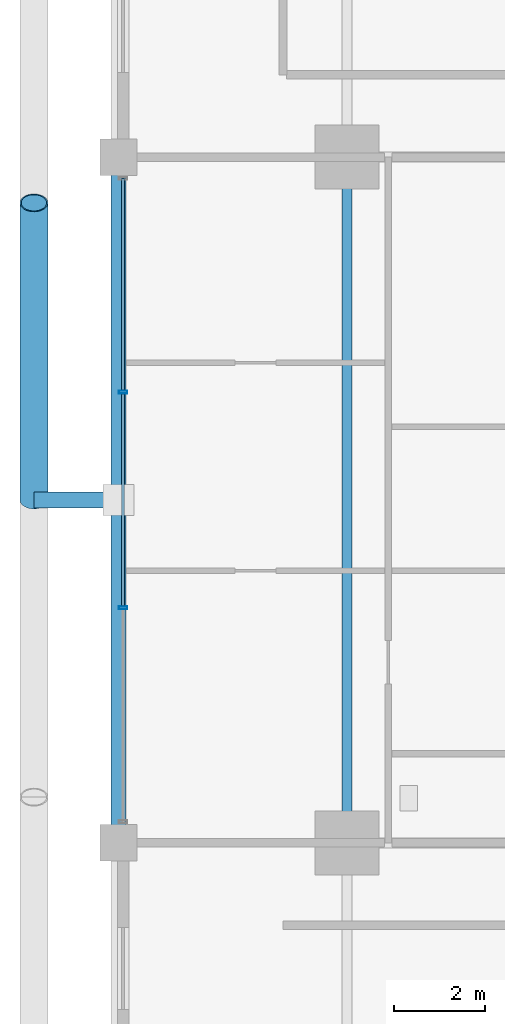
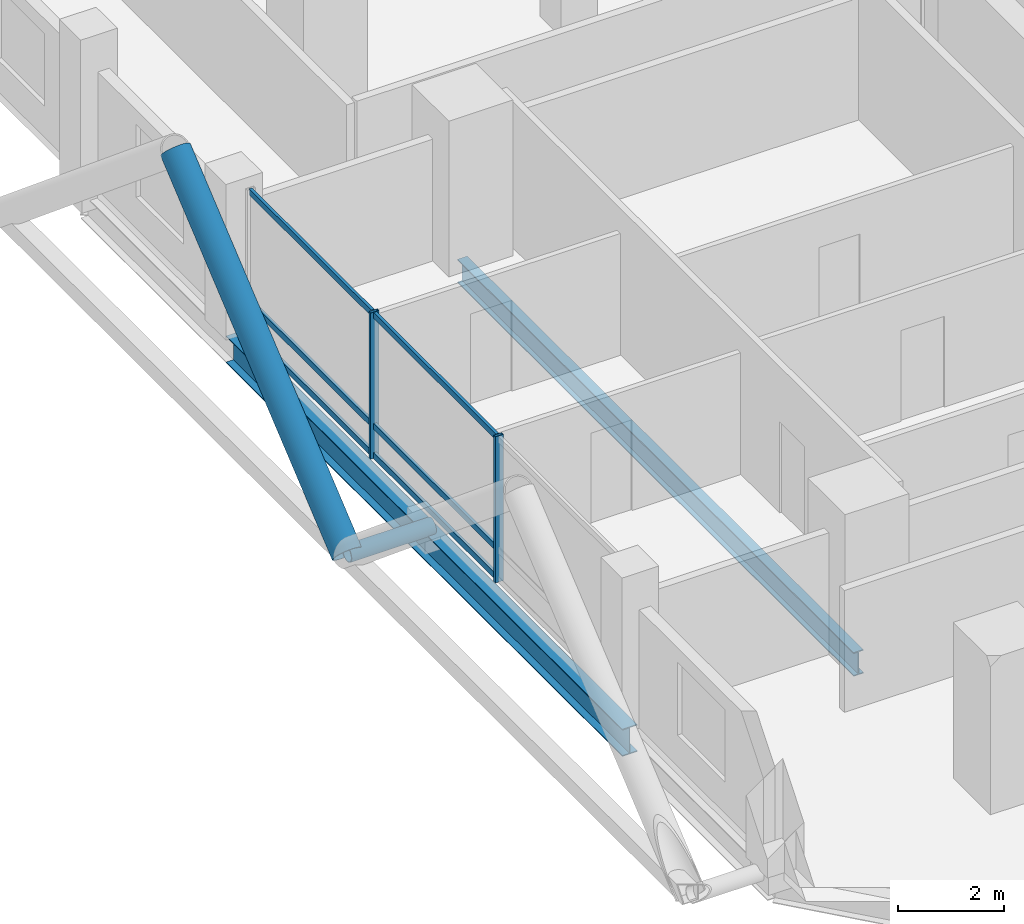
# One storey, part 8 of 27: 10 members, 2 beams, 1 element without a shape of its own.
"""IFC4 building model written with IfcOpenShell, lengths in metres."""

from ifc_helpers import new_model, si_unit, direction, frame, origin, origin_2d, place, context, subcontext, project, spatial, hollow_rectangle, hollow_circle, i_section, extrude, material, layer, layer_set, material_profile, profile_set, type_object, element, aggregate, save


model = new_model("IFC4")

# Units and contexts
model_context = context("Model", 3, precision=1e-05, world=origin(), true_north=direction((0.0, 1.0)))
body_context = subcontext(model_context, "Body", "Model", "MODEL_VIEW")
ifc_project = project(units=[si_unit("LENGTHUNIT", "METRE"), si_unit("AREAUNIT", "SQUARE_METRE"), si_unit("VOLUMEUNIT", "CUBIC_METRE"), si_unit("PLANEANGLEUNIT", "RADIAN"), si_unit("MASSUNIT", "GRAM", prefix="KILO")], contexts=[model_context])

# Site, building, storey
site_placement = place(None, origin())
site = spatial("IfcSite", under=ifc_project, at=site_placement, CompositionType="ELEMENT")
building_placement = place(site_placement, origin())
building = spatial("IfcBuilding", under=site, at=building_placement, Name="Barlavira Tower and Art Museum", CompositionType="ELEMENT")
storey_placement = place(building_placement, frame((0.0, 0.0, 61.199951171875)))
storey = spatial("IfcBuildingStorey", under=building, at=storey_placement, Name="L14", CompositionType="ELEMENT", Elevation=61.199951171875)

# Curtain wall, members
ifc_material_1 = material(Name="Low-iron coastal laminated glass", Category="glass")
ifc_layer = layer(ifc_material_1, 0.179931640625, Name="Low-iron coastal laminated glass")
ifc_layer_set = layer_set([ifc_layer], Name="Low-iron coastal laminated glass")
curtain_wall_type = type_object("IfcCurtainWallType", Name="Pale-Metal Unitised Curtain Wall Zone 1", PredefinedType="NOTDEFINED", material=ifc_layer_set)
curtain_wall_placement = place(storey_placement, origin())
curtain_wall = element("IfcCurtainWall", 1, at=curtain_wall_placement, inside=storey, type_object=curtain_wall_type, Name="L14 Curtain Wall CW1-L14-W-B3", PredefinedType="NOTDEFINED")
ifc_material_2 = material(Name="Pale anodised aluminium", Category="aluminium")
ifc_material_profile_1 = material_profile(ifc_material_2, hollow_rectangle(XDim=0.06494140625, YDim=0.179931640625, WallThickness=0.00390625, at=origin_2d()), Name="ALU-MULL 65x180x4")
ifc_profile_set_1 = profile_set([ifc_material_profile_1], Name="Pale anodised aluminium")
member_type_1 = type_object("IfcMemberType", Name="Curtain Wall Pale-Metal Mullion 65x180", PredefinedType="MULLION", material=ifc_profile_set_1)
member_1_placement = place(storey_placement, frame((-21.89990234375, 2.360107421875, 0.0), z_axis=(0.0, 0.0, 1.0), x_axis=(0.0, -1.0, 0.0)))
member_1 = element("IfcMember", 2, at=member_1_placement, type_object=member_type_1, Name="CW1-L14-W-B3 Mullion 1", PredefinedType="MULLION", context=body_context, shape_type="SweptSolid", body=[
    extrude(hollow_rectangle(XDim=0.06494140625, YDim=0.179931640625, WallThickness=0.00390625, at=origin_2d()), origin(), (0.0, 0.0, 1.0), 3.380126953125),
])
member_2_placement = place(storey_placement, frame((-21.89990234375, -2.360107421875, 0.0), z_axis=(0.0, 0.0, 1.0), x_axis=(0.0, -1.0, 0.0)))
member_2 = element("IfcMember", 3, at=member_2_placement, type_object=member_type_1, Name="CW1-L14-W-B3 Mullion 2", PredefinedType="MULLION", context=body_context, shape_type="SweptSolid", body=[
    extrude(hollow_rectangle(XDim=0.06494140625, YDim=0.179931640625, WallThickness=0.00390625, at=origin_2d()), origin(), (0.0, 0.0, 1.0), 3.380126953125),
])
ifc_material_profile_2 = material_profile(ifc_material_2, hollow_rectangle(XDim=0.06494140625, YDim=0.139892578125, WallThickness=0.00390625, at=origin_2d()), Name="ALU-TRAN 65x140x4")
ifc_profile_set_2 = profile_set([ifc_material_profile_2], Name="Pale anodised aluminium")
member_type_2 = type_object("IfcMemberType", Name="Curtain Wall Pale-Metal Transom 65x140", PredefinedType="USERDEFINED", material=ifc_profile_set_2)
member_3_placement = place(storey_placement, frame((-21.89990234375, 7.034912109375, 0.070068359375), z_axis=(0.0, -1.0, 0.0), x_axis=(1.0, 0.0, 0.0)))
member_3 = element("IfcMember", 4, at=member_3_placement, type_object=member_type_2, Name="CW1-L14-W-B3 Transom 0.1", ObjectType="TRANSOM", PredefinedType="USERDEFINED", context=body_context, shape_type="SweptSolid", body=[
    extrude(hollow_rectangle(XDim=0.06494140625, YDim=0.139892578125, WallThickness=0.00390625, at=origin_2d()), origin(), (0.0, 0.0, 1.0), 4.6298828125),
])
member_4_placement = place(storey_placement, frame((-21.89990234375, 7.034912109375, 0.744140625), z_axis=(0.0, -1.0, 0.0), x_axis=(1.0, 0.0, 0.0)))
member_4 = element("IfcMember", 5, at=member_4_placement, type_object=member_type_2, Name="CW1-L14-W-B3 Transom 0.2", ObjectType="TRANSOM", PredefinedType="USERDEFINED", context=body_context, shape_type="SweptSolid", body=[
    extrude(hollow_rectangle(XDim=0.06494140625, YDim=0.139892578125, WallThickness=0.00390625, at=origin_2d()), origin(), (0.0, 0.0, 1.0), 4.6298828125),
])
member_5_placement = place(storey_placement, frame((-21.89990234375, 7.034912109375, 3.31005859375), z_axis=(0.0, -1.0, 0.0), x_axis=(1.0, 0.0, 0.0)))
member_5 = element("IfcMember", 6, at=member_5_placement, type_object=member_type_2, Name="CW1-L14-W-B3 Transom 0.3", ObjectType="TRANSOM", PredefinedType="USERDEFINED", context=body_context, shape_type="SweptSolid", body=[
    extrude(hollow_rectangle(XDim=0.06494140625, YDim=0.139892578125, WallThickness=0.00390625, at=origin_2d()), origin(), (0.0, 0.0, 1.0), 4.6298828125),
])
member_6_placement = place(storey_placement, frame((-21.89990234375, 2.31494140625, 0.070068359375), z_axis=(0.0, -1.0, 0.0), x_axis=(1.0, 0.0, 0.0)))
member_6 = element("IfcMember", 7, at=member_6_placement, type_object=member_type_2, Name="CW1-L14-W-B3 Transom 1.1", ObjectType="TRANSOM", PredefinedType="USERDEFINED", context=body_context, shape_type="SweptSolid", body=[
    extrude(hollow_rectangle(XDim=0.06494140625, YDim=0.139892578125, WallThickness=0.00390625, at=origin_2d()), origin(), (0.0, 0.0, 1.0), 4.6298828125),
])
member_7_placement = place(storey_placement, frame((-21.89990234375, 2.31494140625, 0.744140625), z_axis=(0.0, -1.0, 0.0), x_axis=(1.0, 0.0, 0.0)))
member_7 = element("IfcMember", 8, at=member_7_placement, type_object=member_type_2, Name="CW1-L14-W-B3 Transom 1.2", ObjectType="TRANSOM", PredefinedType="USERDEFINED", context=body_context, shape_type="SweptSolid", body=[
    extrude(hollow_rectangle(XDim=0.06494140625, YDim=0.139892578125, WallThickness=0.00390625, at=origin_2d()), origin(), (0.0, 0.0, 1.0), 4.6298828125),
])
member_8_placement = place(storey_placement, frame((-21.89990234375, 2.31494140625, 3.31005859375), z_axis=(0.0, -1.0, 0.0), x_axis=(1.0, 0.0, 0.0)))
member_8 = element("IfcMember", 9, at=member_8_placement, type_object=member_type_2, Name="CW1-L14-W-B3 Transom 1.3", ObjectType="TRANSOM", PredefinedType="USERDEFINED", context=body_context, shape_type="SweptSolid", body=[
    extrude(hollow_rectangle(XDim=0.06494140625, YDim=0.139892578125, WallThickness=0.00390625, at=origin_2d()), origin(), (0.0, 0.0, 1.0), 4.6298828125),
])
aggregate(curtain_wall, [member_1, member_2, member_3, member_4, member_5, member_6, member_7, member_8])

# Members
ifc_material_3 = material(Name="Steel S355", Category="steel")
ifc_material_profile_3 = material_profile(ifc_material_3, hollow_circle(Radius=0.304931640625, WallThickness=0.028076171875, at=origin_2d()), Name="CHS 610.0x28.0")
ifc_profile_set_3 = profile_set([ifc_material_profile_3], Name="Steel S355")
member_type_3 = type_object("IfcMemberType", Name="Pale-Metal Exoskeleton Diagrid Tube CHS 610x28 Steel S355", PredefinedType="BRACE", material=ifc_profile_set_3)
member_9_placement = place(storey_placement, frame((-23.85009765625, 0.0, -0.119873046875), z_axis=(0.0, 0.769196053329, 0.639012857104), x_axis=(-1.0, 0.0, 0.0)))
element("IfcMember", 10, at=member_9_placement, inside=storey, type_object=member_type_3, Name="L14 Exoskeleton Diagrid Tube W", PredefinedType="BRACE", context=body_context, shape_type="SweptSolid", body=[
    extrude(hollow_circle(Radius=0.304931640625, WallThickness=0.028076171875, at=origin_2d()), origin(), (0.0, 0.0, 1.0), 8.450439453125),
])
ifc_material_profile_4 = material_profile(ifc_material_3, hollow_circle(Radius=0.177734375, WallThickness=0.01611328125, at=origin_2d()), Name="CHS 355.6x16.0")
ifc_profile_set_4 = profile_set([ifc_material_profile_4], Name="Steel S355")
member_type_4 = type_object("IfcMemberType", Name="Pale-Metal Exoskeleton Tie Strut CHS 356x16 Steel S355", PredefinedType="STRUT", material=ifc_profile_set_4)
member_10_placement = place(storey_placement, frame((-23.85009765625, 0.0, -0.119873046875), z_axis=(1.0, 0.0, 0.0), x_axis=(0.0, 1.0, 0.0)))
element("IfcMember", 11, at=member_10_placement, inside=storey, type_object=member_type_4, Name="L14 Exoskeleton Tie Strut W2", PredefinedType="STRUT", context=body_context, shape_type="SweptSolid", body=[
    extrude(hollow_circle(Radius=0.177734375, WallThickness=0.01611328125, at=origin_2d()), origin(), (0.0, 0.0, 1.0), 1.85009765625),
])

# Beams
ifc_material_profile_5 = material_profile(ifc_material_3, i_section(OverallWidth=0.327880859375, OverallDepth=0.62890625, WebThickness=0.013916015625, FlangeThickness=0.021484375, at=origin_2d()), Name="W610x174.0")
ifc_profile_set_5 = profile_set([ifc_material_profile_5], Name="Steel S355")
beam_type_1 = type_object("IfcBeamType", Name="Perimeter Spandrel Edge Beam W610x174 Steel S355", PredefinedType="SPANDREL", material=ifc_profile_set_5)
beam_1_placement = place(storey_placement, frame((-22.0, -7.5, -0.534423828125), z_axis=(0.0, 1.0, 0.0), x_axis=(-1.0, 0.0, 0.0)))
element("IfcBeam", 12, at=beam_1_placement, inside=storey, type_object=beam_type_1, Name="L14 Spandrel 14", PredefinedType="SPANDREL", context=body_context, shape_type="SweptSolid", body=[
    extrude(i_section(OverallWidth=0.327880859375, OverallDepth=0.62890625, WebThickness=0.013916015625, FlangeThickness=0.021484375, at=origin_2d()), origin(), (0.0, 0.0, 1.0), 15.0),
])
ifc_material_profile_6 = material_profile(ifc_material_3, i_section(OverallWidth=0.214111328125, OverallDepth=0.549072265625, WebThickness=0.0146484375, FlangeThickness=0.023681640625, at=origin_2d()), Name="W530x138.0")
ifc_profile_set_6 = profile_set([ifc_material_profile_6], Name="Steel S355")
beam_type_2 = type_object("IfcBeamType", Name="Zone 1 Primary Floor Girder W530x138 Steel S355", PredefinedType="BEAM", material=ifc_profile_set_6)
beam_2_placement = place(storey_placement, frame((-17.0, -7.5, -0.494384765625), z_axis=(0.0, 1.0, 0.0), x_axis=(-1.0, 0.0, 0.0)))
element("IfcBeam", 13, at=beam_2_placement, inside=storey, type_object=beam_type_2, Name="L14 Girder M-W2", PredefinedType="BEAM", context=body_context, shape_type="SweptSolid", body=[
    extrude(i_section(OverallWidth=0.214111328125, OverallDepth=0.549072265625, WebThickness=0.0146484375, FlangeThickness=0.023681640625, at=origin_2d()), origin(), (0.0, 0.0, 1.0), 15.0),
])

save(model, "model.ifc")
